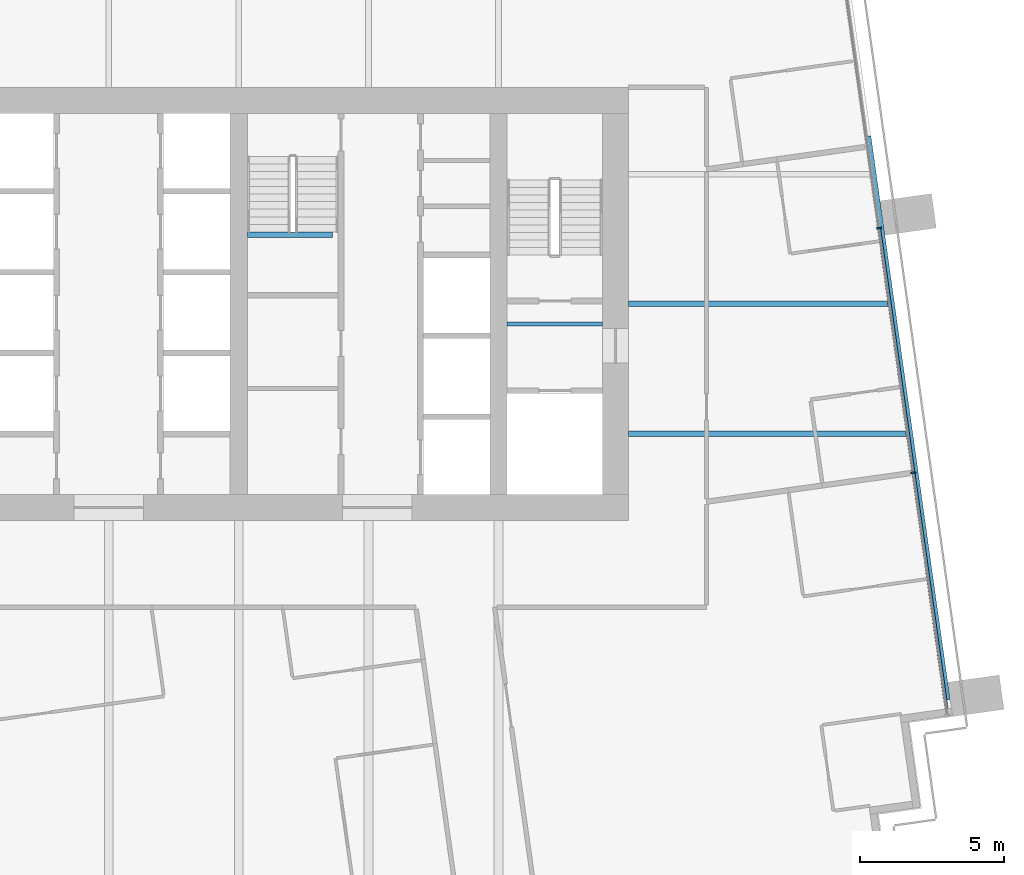
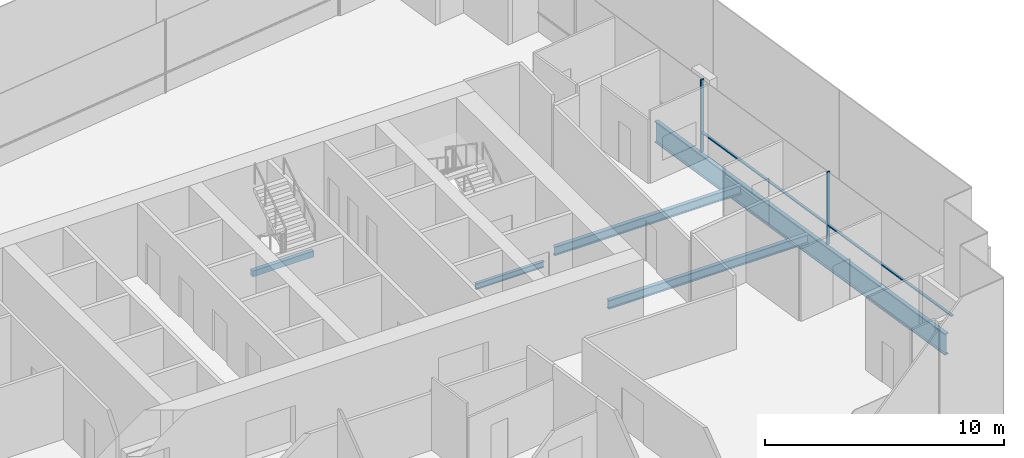
# One storey, part 5 of 17: 5 beams, 4 members, 1 element without a shape of its own.
"""IFC4 building model written with IfcOpenShell, lengths in metres."""

from ifc_helpers import new_model, si_unit, direction, frame, origin, origin_2d, place, context, subcontext, project, spatial, rectangle, i_section, extrude, material, material_profile, profile_set, type_object, element, aggregate, save


model = new_model("IFC4")

# Units and contexts
model_context = context("Model", 3, precision=1e-05, world=origin(), true_north=direction((0.0, 1.0)))
body_context = subcontext(model_context, "Body", "Model", "MODEL_VIEW")
ifc_project = project(units=[si_unit("LENGTHUNIT", "METRE"), si_unit("AREAUNIT", "SQUARE_METRE"), si_unit("VOLUMEUNIT", "CUBIC_METRE"), si_unit("PLANEANGLEUNIT", "RADIAN"), si_unit("MASSUNIT", "GRAM", prefix="KILO")], contexts=[model_context])

# Site, building, storey
site_placement = place(None, origin())
site = spatial("IfcSite", under=ifc_project, at=site_placement, CompositionType="ELEMENT")
building_placement = place(site_placement, origin())
building = spatial("IfcBuilding", under=site, at=building_placement, Name="Rattan Terrace Tower", CompositionType="ELEMENT")
storey_placement = place(building_placement, frame((0.0, 0.0, 180.199951171875)))
storey = spatial("IfcBuildingStorey", under=building, at=storey_placement, Name="L41", CompositionType="ELEMENT", Elevation=180.199951171875)

# Beam
ifc_material_1 = material(Name="Concrete C40/50", Category="concrete")
ifc_material_profile_1 = material_profile(ifc_material_1, rectangle(XDim=0.199951171875, YDim=0.300048828125, at=origin_2d()), Name="RC 200x300")
ifc_profile_set_1 = profile_set([ifc_material_profile_1], Name="Concrete C40/50")
beam_type_1 = type_object("IfcBeamType", Name="Core landing beam RC 200x300", PredefinedType="BEAM", material=ifc_profile_set_1)
beam_1_placement = place(storey_placement, frame((4.800048828125, 2.39990234375, 1.60009765625), z_axis=(1.0, 0.0, 0.0), x_axis=(0.0, 1.0, 0.0)))
element("IfcBeam", 1, at=beam_1_placement, inside=storey, type_object=beam_type_1, Name="st-S3-L41 landing 1 edge beam", PredefinedType="BEAM", context=body_context, shape_type="SweptSolid", body=[
    extrude(rectangle(XDim=0.199951171875, YDim=0.300048828125, at=origin_2d()), origin(), (0.0, 0.0, 1.0), 2.949951171875),
])

# Curtain wall, members
ifc_material_2 = material(Name="Aluminium and glass", Category="aluminium")
curtain_wall_type = type_object("IfcCurtainWallType", Name="Facade Unitised Curtain Wall", PredefinedType="NOTDEFINED", material=ifc_material_2)
curtain_wall_placement = place(storey_placement, origin())
curtain_wall = element("IfcCurtainWall", 2, at=curtain_wall_placement, inside=storey, type_object=curtain_wall_type, Name="Curtain wall L41-1", PredefinedType="NOTDEFINED")
ifc_material_3 = material(Name="Aluminium", Category="aluminium")
ifc_material_profile_2 = material_profile(ifc_material_3, rectangle(XDim=0.06005859375, YDim=0.159912109375, at=origin_2d()), Name="Aluminium 60x160")
ifc_profile_set_2 = profile_set([ifc_material_profile_2], Name="Aluminium")
member_type_1 = type_object("IfcMemberType", Name="Facade CW Mullion 60x160", PredefinedType="MULLION", material=ifc_profile_set_2)
member_1_placement = place(storey_placement, frame((27.857666015625, -5.8408203125, 0.0), z_axis=(0.0, 0.0, 1.0), x_axis=(-0.139190856006, 0.99026557327, 0.0)))
member_1 = element("IfcMember", 3, at=member_1_placement, type_object=member_type_1, Name="Mullion cwl-L41-001.2", PredefinedType="MULLION", context=body_context, shape_type="SweptSolid", body=[
    extrude(rectangle(XDim=0.06005859375, YDim=0.159912109375, at=origin_2d()), origin(), (0.0, 0.0, 1.0), 3.699951171875),
])
member_2_placement = place(storey_placement, frame((26.66748046875, 2.6259765625, 0.0), z_axis=(0.0, 0.0, 1.0), x_axis=(-0.139190856006, 0.99026557327, 0.0)))
member_2 = element("IfcMember", 4, at=member_2_placement, type_object=member_type_1, Name="Mullion cwl-L41-001.3", PredefinedType="MULLION", context=body_context, shape_type="SweptSolid", body=[
    extrude(rectangle(XDim=0.06005859375, YDim=0.159912109375, at=origin_2d()), origin(), (0.0, 0.0, 1.0), 3.699951171875),
])
ifc_material_4 = material(Name="Aluminium", Category="aluminium")
ifc_material_profile_3 = material_profile(ifc_material_4, rectangle(XDim=0.1201171875, YDim=0.06005859375, at=origin_2d()), Name="Aluminium 120x60")
ifc_profile_set_3 = profile_set([ifc_material_profile_3], Name="Aluminium")
member_type_2 = type_object("IfcMemberType", Name="Facade CW Transom 120x60", PredefinedType="USERDEFINED", material=ifc_profile_set_3)
member_3_placement = place(storey_placement, frame((29.032958984375, -14.20361328125, 1.0), z_axis=(-0.139174814558, 0.99026782791, 0.0), x_axis=(-0.99026782791, -0.139174814558, 0.0)))
member_3 = element("IfcMember", 5, at=member_3_placement, type_object=member_type_2, Name="Transom cwl-L41-001.1", ObjectType="TRANSOM", PredefinedType="USERDEFINED", context=body_context, shape_type="SweptSolid", body=[
    extrude(rectangle(XDim=0.1201171875, YDim=0.06005859375, at=origin_2d()), origin(), (0.0, 0.0, 1.0), 8.414794921875),
])
member_4_placement = place(storey_placement, frame((27.853515625, -5.811279296875, 1.0), z_axis=(-0.139206806234, 0.990263331189, 0.0), x_axis=(-0.990263331189, -0.139206806234, 0.0)))
member_4 = element("IfcMember", 6, at=member_4_placement, type_object=member_type_2, Name="Transom cwl-L41-001.2", ObjectType="TRANSOM", PredefinedType="USERDEFINED", context=body_context, shape_type="SweptSolid", body=[
    extrude(rectangle(XDim=0.1201171875, YDim=0.06005859375, at=origin_2d()), origin(), (0.0, 0.0, 1.0), 8.490234375),
])
aggregate(curtain_wall, [member_1, member_2, member_3, member_4])

# Beams
ifc_material_5 = material(Name="Steel S460", Category="steel")
ifc_material_profile_4 = material_profile(ifc_material_5, i_section(OverallWidth=0.179931640625, OverallDepth=1.10009765625, WebThickness=0.01611328125, FlangeThickness=0.050048828125, at=origin_2d()), Name="PG 1100x180-16-50")
ifc_profile_set_4 = profile_set([ifc_material_profile_4], Name="Steel S460")
beam_type_2 = type_object("IfcBeamType", Name="Frame edge girder PG 1100x180-16-50", PredefinedType="SPANDREL", material=ifc_profile_set_4)
beam_2_placement = place(storey_placement, frame((26.301025390625, 5.81201171875, -0.75), z_axis=(0.139187065437, -0.990266106062, 0.0), x_axis=(0.990266106062, 0.139187065437, 0.0)))
element("IfcBeam", 7, at=beam_2_placement, inside=storey, type_object=beam_type_2, Name="gdr-L41-005", PredefinedType="SPANDREL", context=body_context, shape_type="SweptSolid", body=[
    extrude(i_section(OverallWidth=0.179931640625, OverallDepth=1.10009765625, WebThickness=0.01611328125, FlangeThickness=0.050048828125, at=origin_2d()), origin(), (0.0, 0.0, 1.0), 19.706787109375),
])
ifc_material_6 = material(Name="Steel S355", Category="steel")
ifc_material_profile_5 = material_profile(ifc_material_6, i_section(OverallWidth=0.14990234375, OverallDepth=0.300048828125, WebThickness=0.007080078125, FlangeThickness=0.0107421875, FilletRadius=0.014892578125, at=origin_2d()), Name="IPE 300")
ifc_profile_set_5 = profile_set([ifc_material_profile_5], Name="Steel S355")
beam_type_3 = type_object("IfcBeamType", Name="Frame floor beam IPE 300", PredefinedType="JOIST", material=ifc_profile_set_5)
beam_3_placement = place(storey_placement, frame((13.800048828125, -0.695068359375, -0.349853515625), z_axis=(1.0, 0.0, 0.0), x_axis=(0.0, 1.0, 0.0)))
element("IfcBeam", 8, at=beam_3_placement, inside=storey, type_object=beam_type_3, Name="bm-L41-002", PredefinedType="JOIST", context=body_context, shape_type="SweptSolid", body=[
    extrude(i_section(OverallWidth=0.14990234375, OverallDepth=0.300048828125, WebThickness=0.007080078125, FlangeThickness=0.0107421875, FilletRadius=0.014892578125, at=origin_2d()), origin(), (0.0, 0.0, 1.0), 3.300048828125),
])
ifc_material_7 = material(Name="Steel S355", Category="steel")
ifc_material_profile_6 = material_profile(ifc_material_7, i_section(OverallWidth=0.18994140625, OverallDepth=0.449951171875, WebThickness=0.009521484375, FlangeThickness=0.0146484375, FilletRadius=0.02099609375, at=origin_2d()), Name="IPE 450")
ifc_profile_set_6 = profile_set([ifc_material_profile_6], Name="Steel S355")
beam_type_4 = type_object("IfcBeamType", Name="Frame floor beam IPE 450", PredefinedType="JOIST", material=ifc_profile_set_6)
beam_4_placement = place(storey_placement, frame((18.0, -4.5, -0.425048828125), z_axis=(1.0, 0.0, 0.0), x_axis=(0.0, 1.0, 0.0)))
element("IfcBeam", 9, at=beam_4_placement, inside=storey, type_object=beam_type_4, Name="bm-L41-011", PredefinedType="JOIST", context=body_context, shape_type="SweptSolid", body=[
    extrude(i_section(OverallWidth=0.18994140625, OverallDepth=0.449951171875, WebThickness=0.009521484375, FlangeThickness=0.0146484375, FilletRadius=0.02099609375, at=origin_2d()), origin(), (0.0, 0.0, 1.0), 9.64599609375),
])
beam_5_placement = place(storey_placement, frame((18.0, 0.0, -0.425048828125), z_axis=(1.0, 0.0, 0.0), x_axis=(0.0, 1.0, 0.0)))
element("IfcBeam", 10, at=beam_5_placement, inside=storey, type_object=beam_type_4, Name="bm-L41-013", PredefinedType="JOIST", context=body_context, shape_type="SweptSolid", body=[
    extrude(i_section(OverallWidth=0.18994140625, OverallDepth=0.449951171875, WebThickness=0.009521484375, FlangeThickness=0.0146484375, FilletRadius=0.02099609375, at=origin_2d()), origin(), (0.0, 0.0, 1.0), 9.013916015625),
])

save(model, "model.ifc")
